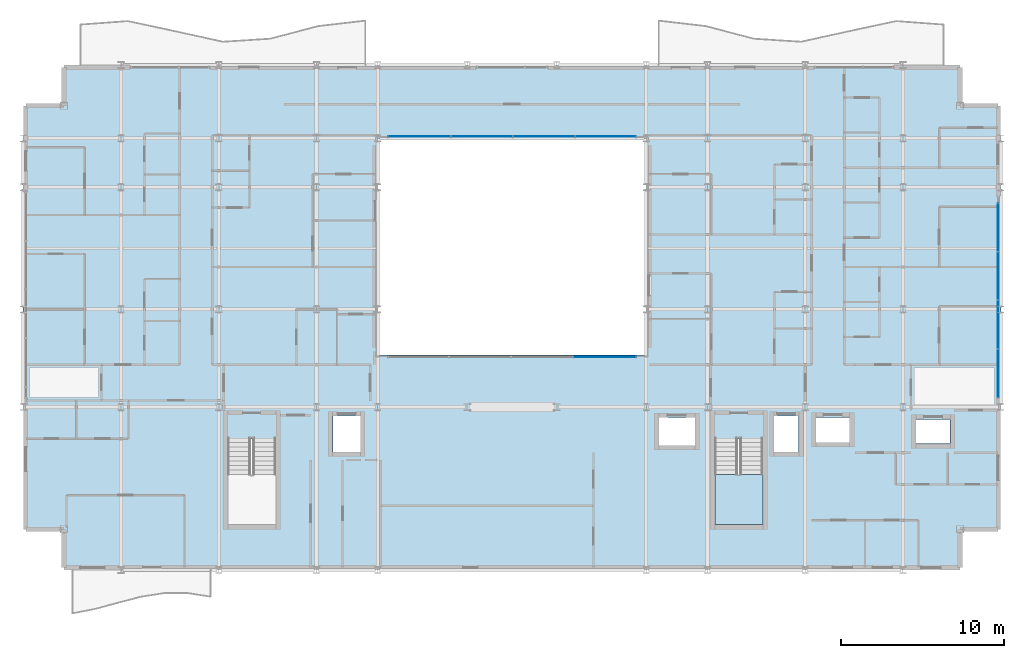
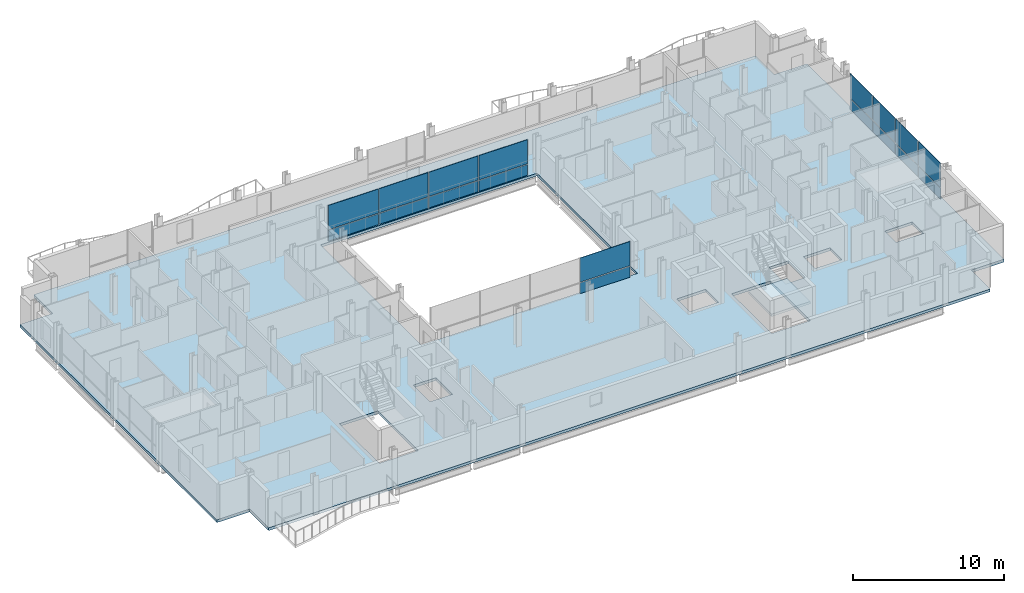
# One storey, part 27 of 40: 18 plates, 2 slabs, 4 elements without a shape of their own.
"""IFC4 building model written with IfcOpenShell, lengths in metres."""

from ifc_helpers import new_model, si_unit, direction, frame, origin, origin_2d, place, context, subcontext, project, spatial, polyline, rectangle, outline, extrude, material, layer, layer_set, type_object, element, aggregate, save


model = new_model("IFC4")

# Units and contexts
model_context = context("Model", 3, precision=1e-05, world=origin(), true_north=direction((0.0, 1.0)))
body_context = subcontext(model_context, "Body", "Model", "MODEL_VIEW")
ifc_project = project(units=[si_unit("LENGTHUNIT", "METRE"), si_unit("AREAUNIT", "SQUARE_METRE"), si_unit("VOLUMEUNIT", "CUBIC_METRE"), si_unit("PLANEANGLEUNIT", "RADIAN"), si_unit("MASSUNIT", "GRAM", prefix="KILO")], contexts=[model_context])

# Site, building, storey
site_placement = place(None, origin())
site = spatial("IfcSite", under=ifc_project, at=site_placement, CompositionType="ELEMENT")
building_placement = place(site_placement, origin())
building = spatial("IfcBuilding", under=site, at=building_placement, Name="Brevholm Reach", CompositionType="ELEMENT")
storey_placement = place(building_placement, frame((0.0, 0.0, 125.199951171875)))
storey = spatial("IfcBuildingStorey", under=building, at=storey_placement, Name="L37", CompositionType="ELEMENT", Elevation=125.199951171875)

# Curtain wall, plates
ifc_material_1 = material(Name="Dark Anodised Aluminium 6063-T6 and Solar-Control Glass", Category="aluminium")
ifc_layer_1 = layer(ifc_material_1, 0.14990234375)
ifc_layer_set_1 = layer_set([ifc_layer_1], Name="Dark Anodised Aluminium 6063-T6 and Solar-Control Glass")
curtain_wall_type_1 = type_object("IfcCurtainWallType", Name="CW-01", PredefinedType="NOTDEFINED", material=ifc_layer_set_1)
curtain_wall_1_placement = place(storey_placement, origin())
curtain_wall_1 = element("IfcCurtainWall", 1, at=curtain_wall_1_placement, inside=storey, type_object=curtain_wall_type_1, Name="L37 Curtain Wall CW-01", PredefinedType="NOTDEFINED")
ifc_material_2 = material(Name="Dark Solar-Control Double-Glazed IGU Glass", Category="glass")
ifc_layer_2 = layer(ifc_material_2, 0.028076171875)
ifc_layer_set_2 = layer_set([ifc_layer_2], Name="Dark Solar-Control Double-Glazed IGU Glass")
plate_type_1 = type_object("IfcPlateType", Name="CWP-GLZ-28", PredefinedType="CURTAIN_PANEL", material=ifc_layer_set_2)
plate_1_placement = place(storey_placement, frame((59.85009765625, 12.066162109375, 0.0), z_axis=(0.0, 0.0, 1.0), x_axis=(0.0, 1.0, 0.0)))
plate_1 = element("IfcPlate", 2, at=plate_1_placement, type_object=plate_type_1, Name="CP-01 Glazing Panel 1.1", PredefinedType="CURTAIN_PANEL", context=body_context, shape_type="SweptSolid", body=[
    extrude(rectangle(XDim=2.902587890625, YDim=0.028076171875, at=origin_2d()), origin(), (0.0, 0.0, 1.0), 0.867431640625),
])
plate_2_placement = place(storey_placement, frame((59.85009765625, 12.066162109375, 0.9326171875), z_axis=(0.0, 0.0, 1.0), x_axis=(0.0, 1.0, 0.0)))
plate_2 = element("IfcPlate", 3, at=plate_2_placement, type_object=plate_type_1, Name="CP-01 Glazing Panel 1.2", PredefinedType="CURTAIN_PANEL", context=body_context, shape_type="SweptSolid", body=[
    extrude(rectangle(XDim=2.902587890625, YDim=0.028076171875, at=origin_2d()), origin(), (0.0, 0.0, 1.0), 1.947509765625),
])
plate_3_placement = place(storey_placement, frame((59.85009765625, 15.050048828125, 0.0), z_axis=(0.0, 0.0, 1.0), x_axis=(0.0, 1.0, 0.0)))
plate_3 = element("IfcPlate", 4, at=plate_3_placement, type_object=plate_type_1, Name="CP-01 Glazing Panel 2.1", PredefinedType="CURTAIN_PANEL", context=body_context, shape_type="SweptSolid", body=[
    extrude(rectangle(XDim=2.93505859375, YDim=0.028076171875, at=origin_2d()), origin(), (0.0, 0.0, 1.0), 0.867431640625),
])
plate_4_placement = place(storey_placement, frame((59.85009765625, 15.050048828125, 0.9326171875), z_axis=(0.0, 0.0, 1.0), x_axis=(0.0, 1.0, 0.0)))
plate_4 = element("IfcPlate", 5, at=plate_4_placement, type_object=plate_type_1, Name="CP-01 Glazing Panel 2.2", PredefinedType="CURTAIN_PANEL", context=body_context, shape_type="SweptSolid", body=[
    extrude(rectangle(XDim=2.93505859375, YDim=0.028076171875, at=origin_2d()), origin(), (0.0, 0.0, 1.0), 1.947509765625),
])
plate_5_placement = place(storey_placement, frame((59.85009765625, 18.050048828125, 0.0), z_axis=(0.0, 0.0, 1.0), x_axis=(0.0, 1.0, 0.0)))
plate_5 = element("IfcPlate", 6, at=plate_5_placement, type_object=plate_type_1, Name="CP-01 Glazing Panel 3.1", PredefinedType="CURTAIN_PANEL", context=body_context, shape_type="SweptSolid", body=[
    extrude(rectangle(XDim=2.93505859375, YDim=0.028076171875, at=origin_2d()), origin(), (0.0, 0.0, 1.0), 0.867431640625),
])
plate_6_placement = place(storey_placement, frame((59.85009765625, 18.050048828125, 0.9326171875), z_axis=(0.0, 0.0, 1.0), x_axis=(0.0, 1.0, 0.0)))
plate_6 = element("IfcPlate", 7, at=plate_6_placement, type_object=plate_type_1, Name="CP-01 Glazing Panel 3.2", PredefinedType="CURTAIN_PANEL", context=body_context, shape_type="SweptSolid", body=[
    extrude(rectangle(XDim=2.93505859375, YDim=0.028076171875, at=origin_2d()), origin(), (0.0, 0.0, 1.0), 1.947509765625),
])
plate_7_placement = place(storey_placement, frame((59.85009765625, 21.050048828125, 0.0), z_axis=(0.0, 0.0, 1.0), x_axis=(0.0, 1.0, 0.0)))
plate_7 = element("IfcPlate", 8, at=plate_7_placement, type_object=plate_type_1, Name="CP-01 Glazing Panel 4.1", PredefinedType="CURTAIN_PANEL", context=body_context, shape_type="SweptSolid", body=[
    extrude(rectangle(XDim=2.93505859375, YDim=0.028076171875, at=origin_2d()), origin(), (0.0, 0.0, 1.0), 0.867431640625),
])
plate_8_placement = place(storey_placement, frame((59.85009765625, 21.050048828125, 0.9326171875), z_axis=(0.0, 0.0, 1.0), x_axis=(0.0, 1.0, 0.0)))
plate_8 = element("IfcPlate", 9, at=plate_8_placement, type_object=plate_type_1, Name="CP-01 Glazing Panel 4.2", PredefinedType="CURTAIN_PANEL", context=body_context, shape_type="SweptSolid", body=[
    extrude(rectangle(XDim=2.93505859375, YDim=0.028076171875, at=origin_2d()), origin(), (0.0, 0.0, 1.0), 1.947509765625),
])
aggregate(curtain_wall_1, [plate_1, plate_2, plate_3, plate_4, plate_5, plate_6, plate_7, plate_8])

ifc_material_3 = material(Name="Dark Anodised Aluminium 6063-T6 and Solar-Control Glass", Category="aluminium")
ifc_layer_3 = layer(ifc_material_3, 0.139892578125)
ifc_layer_set_3 = layer_set([ifc_layer_3], Name="Dark Anodised Aluminium 6063-T6 and Solar-Control Glass")
curtain_wall_type_2 = type_object("IfcCurtainWallType", Name="CW-02", PredefinedType="NOTDEFINED", material=ifc_layer_set_3)
curtain_wall_2_placement = place(storey_placement, origin())
curtain_wall_2 = element("IfcCurtainWall", 10, at=curtain_wall_2_placement, inside=storey, type_object=curtain_wall_type_2, Name="L37 Curtain Wall CW-02", PredefinedType="NOTDEFINED")
ifc_material_4 = material(Name="Low-Iron Laminated Acoustic Glass", Category="glass")
ifc_layer_4 = layer(ifc_material_4, 0.035888671875)
ifc_layer_set_4 = layer_set([ifc_layer_4], Name="Low-Iron Laminated Acoustic Glass")
plate_type_2 = type_object("IfcPlateType", Name="CWP-GLZ-36", PredefinedType="CURTAIN_PANEL", material=ifc_layer_set_4)
plate_9_placement = place(storey_placement, frame((35.68505859375, 13.080078125, 0.0), z_axis=(0.0, 0.0, 1.0), x_axis=(1.0, 0.0, 0.0)))
plate_9 = element("IfcPlate", 11, at=plate_9_placement, type_object=plate_type_2, Name="CP-02 Glazing Panel 4.1", PredefinedType="CURTAIN_PANEL", context=body_context, shape_type="SweptSolid", body=[
    extrude(rectangle(XDim=3.81005859375, YDim=0.035888671875, at=origin_2d()), origin(), (0.0, 0.0, 1.0), 0.8701171875),
])
plate_10_placement = place(storey_placement, frame((35.68505859375, 13.080078125, 0.93017578125), z_axis=(0.0, 0.0, 1.0), x_axis=(1.0, 0.0, 0.0)))
plate_10 = element("IfcPlate", 12, at=plate_10_placement, type_object=plate_type_2, Name="CP-02 Glazing Panel 4.2", PredefinedType="CURTAIN_PANEL", context=body_context, shape_type="SweptSolid", body=[
    extrude(rectangle(XDim=3.81005859375, YDim=0.035888671875, at=origin_2d()), origin(), (0.0, 0.0, 1.0), 1.949951171875),
])
aggregate(curtain_wall_2, [plate_9, plate_10])

curtain_wall_3_placement = place(storey_placement, origin())
curtain_wall_3 = element("IfcCurtainWall", 13, at=curtain_wall_3_placement, inside=storey, type_object=curtain_wall_type_2, Name="L37 Curtain Wall CW-02", PredefinedType="NOTDEFINED")
plate_11_placement = place(storey_placement, frame((35.735107421875, 26.6201171875, 0.0), z_axis=(0.0, 0.0, 1.0), x_axis=(-1.0, 0.0, 0.0)))
plate_11 = element("IfcPlate", 14, at=plate_11_placement, type_object=plate_type_2, Name="CP-02 Glazing Panel 1.1", PredefinedType="CURTAIN_PANEL", context=body_context, shape_type="SweptSolid", body=[
    extrude(rectangle(XDim=3.7099609375, YDim=0.035888671875, at=origin_2d()), origin(), (0.0, 0.0, 1.0), 0.8701171875),
])
plate_12_placement = place(storey_placement, frame((35.735107421875, 26.6201171875, 0.93017578125), z_axis=(0.0, 0.0, 1.0), x_axis=(-1.0, 0.0, 0.0)))
plate_12 = element("IfcPlate", 15, at=plate_12_placement, type_object=plate_type_2, Name="CP-02 Glazing Panel 1.2", PredefinedType="CURTAIN_PANEL", context=body_context, shape_type="SweptSolid", body=[
    extrude(rectangle(XDim=3.7099609375, YDim=0.035888671875, at=origin_2d()), origin(), (0.0, 0.0, 1.0), 1.949951171875),
])
plate_13_placement = place(storey_placement, frame((31.949951171875, 26.6201171875, 0.0), z_axis=(0.0, 0.0, 1.0), x_axis=(-1.0, 0.0, 0.0)))
plate_13 = element("IfcPlate", 16, at=plate_13_placement, type_object=plate_type_2, Name="CP-02 Glazing Panel 2.1", PredefinedType="CURTAIN_PANEL", context=body_context, shape_type="SweptSolid", body=[
    extrude(rectangle(XDim=3.739990234375, YDim=0.035888671875, at=origin_2d()), origin(), (0.0, 0.0, 1.0), 0.8701171875),
])
plate_14_placement = place(storey_placement, frame((31.949951171875, 26.6201171875, 0.93017578125), z_axis=(0.0, 0.0, 1.0), x_axis=(-1.0, 0.0, 0.0)))
plate_14 = element("IfcPlate", 17, at=plate_14_placement, type_object=plate_type_2, Name="CP-02 Glazing Panel 2.2", PredefinedType="CURTAIN_PANEL", context=body_context, shape_type="SweptSolid", body=[
    extrude(rectangle(XDim=3.739990234375, YDim=0.035888671875, at=origin_2d()), origin(), (0.0, 0.0, 1.0), 1.949951171875),
])
plate_15_placement = place(storey_placement, frame((28.14990234375, 26.6201171875, 0.0), z_axis=(0.0, 0.0, 1.0), x_axis=(-1.0, 0.0, 0.0)))
plate_15 = element("IfcPlate", 18, at=plate_15_placement, type_object=plate_type_2, Name="CP-02 Glazing Panel 3.1", PredefinedType="CURTAIN_PANEL", context=body_context, shape_type="SweptSolid", body=[
    extrude(rectangle(XDim=3.739990234375, YDim=0.035888671875, at=origin_2d()), origin(), (0.0, 0.0, 1.0), 0.8701171875),
])
plate_16_placement = place(storey_placement, frame((28.14990234375, 26.6201171875, 0.93017578125), z_axis=(0.0, 0.0, 1.0), x_axis=(-1.0, 0.0, 0.0)))
plate_16 = element("IfcPlate", 19, at=plate_16_placement, type_object=plate_type_2, Name="CP-02 Glazing Panel 3.2", PredefinedType="CURTAIN_PANEL", context=body_context, shape_type="SweptSolid", body=[
    extrude(rectangle(XDim=3.739990234375, YDim=0.035888671875, at=origin_2d()), origin(), (0.0, 0.0, 1.0), 1.949951171875),
])
plate_17_placement = place(storey_placement, frame((24.31494140625, 26.6201171875, 0.0), z_axis=(0.0, 0.0, 1.0), x_axis=(-1.0, 0.0, 0.0)))
plate_17 = element("IfcPlate", 20, at=plate_17_placement, type_object=plate_type_2, Name="CP-02 Glazing Panel 4.1", PredefinedType="CURTAIN_PANEL", context=body_context, shape_type="SweptSolid", body=[
    extrude(rectangle(XDim=3.81005859375, YDim=0.035888671875, at=origin_2d()), origin(), (0.0, 0.0, 1.0), 0.8701171875),
])
plate_18_placement = place(storey_placement, frame((24.31494140625, 26.6201171875, 0.93017578125), z_axis=(0.0, 0.0, 1.0), x_axis=(-1.0, 0.0, 0.0)))
plate_18 = element("IfcPlate", 21, at=plate_18_placement, type_object=plate_type_2, Name="CP-02 Glazing Panel 4.2", PredefinedType="CURTAIN_PANEL", context=body_context, shape_type="SweptSolid", body=[
    extrude(rectangle(XDim=3.81005859375, YDim=0.035888671875, at=origin_2d()), origin(), (0.0, 0.0, 1.0), 1.949951171875),
])
aggregate(curtain_wall_3, [plate_11, plate_12, plate_13, plate_14, plate_15, plate_16, plate_17, plate_18])

# Slab
ifc_material_5 = material(Name="Concrete C40/50", Category="concrete")
ifc_layer_5 = layer(ifc_material_5, 0.219970703125)
ifc_layer_set_5 = layer_set([ifc_layer_5], Name="Concrete C40/50")
slab_type_1 = type_object("IfcSlabType", Name="SLB-FL-220", PredefinedType="FLOOR", material=ifc_layer_set_5)
slab_1_placement = place(storey_placement, frame((0.0, 0.0, -0.219970703125)))
element("IfcSlab", 22, at=slab_1_placement, inside=storey, type_object=slab_type_1, Name="L37 Suspended Floor Slab (main)", PredefinedType="FLOOR", context=body_context, shape_type="SweptSolid", body=[
    extrude(outline(polyline([(2.5, 0.0), (57.5, 0.0), (57.5, 2.5), (60.0, 2.5), (60.0, 28.5), (57.5, 28.5), (57.5, 31.0), (2.5, 31.0), (2.5, 28.5), (0.0, 28.5), (0.0, 2.5), (2.5, 2.5), (2.5, 0.0)]), holes=[polyline([(21.75, 13.199951171875), (38.25, 13.199951171875), (38.25, 26.5), (21.75, 26.5), (21.75, 13.199951171875)]), polyline([(12.550048828125, 2.780029296875), (15.5, 2.780029296875), (15.5, 8.044921875), (12.550048828125, 8.044921875), (12.550048828125, 2.780029296875)]), polyline([(42.449951171875, 2.780029296875), (45.39990234375, 2.780029296875), (45.39990234375, 8.044921875), (42.449951171875, 8.044921875), (42.449951171875, 2.780029296875)]), polyline([(19.0, 7.25), (20.699951171875, 7.25), (20.699951171875, 9.449951171875), (19.0, 9.449951171875), (19.0, 7.25)]), polyline([(46.10009765625, 7.25), (47.60009765625, 7.25), (47.60009765625, 9.449951171875), (46.10009765625, 9.449951171875), (46.10009765625, 7.25)]), polyline([(48.675048828125, 7.824951171875), (50.72509765625, 7.824951171875), (50.72509765625, 9.375), (48.675048828125, 9.375), (48.675048828125, 7.824951171875)]), polyline([(54.800048828125, 7.75), (56.89990234375, 7.75), (56.89990234375, 9.25), (54.800048828125, 9.25), (54.800048828125, 7.75)]), polyline([(39.02001953125, 7.64990234375), (41.219970703125, 7.64990234375), (41.219970703125, 9.35009765625), (39.02001953125, 9.35009765625), (39.02001953125, 7.64990234375)])]), origin(), (0.0, 0.0, 1.0), 0.219970703125),
])

# Stair, slab
ifc_material_6 = material(Name="Precast Concrete C40/50", Category="concrete")
stair_type = type_object("IfcStairType", Name="STR-ESC-1400", PredefinedType="DOUBLE_RETURN_STAIR", material=ifc_material_6)
stair_placement = place(storey_placement, origin())
stair = element("IfcStair", 23, at=stair_placement, inside=storey, type_object=stair_type, Name="L37 ST-2", PredefinedType="DOUBLE_RETURN_STAIR")
ifc_material_7 = material(Name="Concrete C40/50", Category="concrete")
ifc_layer_6 = layer(ifc_material_7, 0.199951171875)
ifc_layer_set_6 = layer_set([ifc_layer_6], Name="Concrete C40/50")
slab_type_2 = type_object("IfcSlabType", Name="SLB-LND-200", PredefinedType="LANDING", material=ifc_layer_set_6)
slab_2_placement = place(storey_placement, frame((0.0, 0.0, 1.35009765625)))
slab_2 = element("IfcSlab", 24, at=slab_2_placement, type_object=slab_type_2, Name="ST-2 landing 1", PredefinedType="LANDING", context=body_context, shape_type="SweptSolid", body=[
    extrude(outline(polyline([(42.449951171875, 5.860107421875), (42.449951171875, 2.780029296875), (45.39990234375, 2.780029296875), (45.39990234375, 5.860107421875), (42.449951171875, 5.860107421875)])), origin(), (0.0, 0.0, 1.0), 0.199951171875),
])
aggregate(stair, [slab_2])

save(model, "model.ifc")
